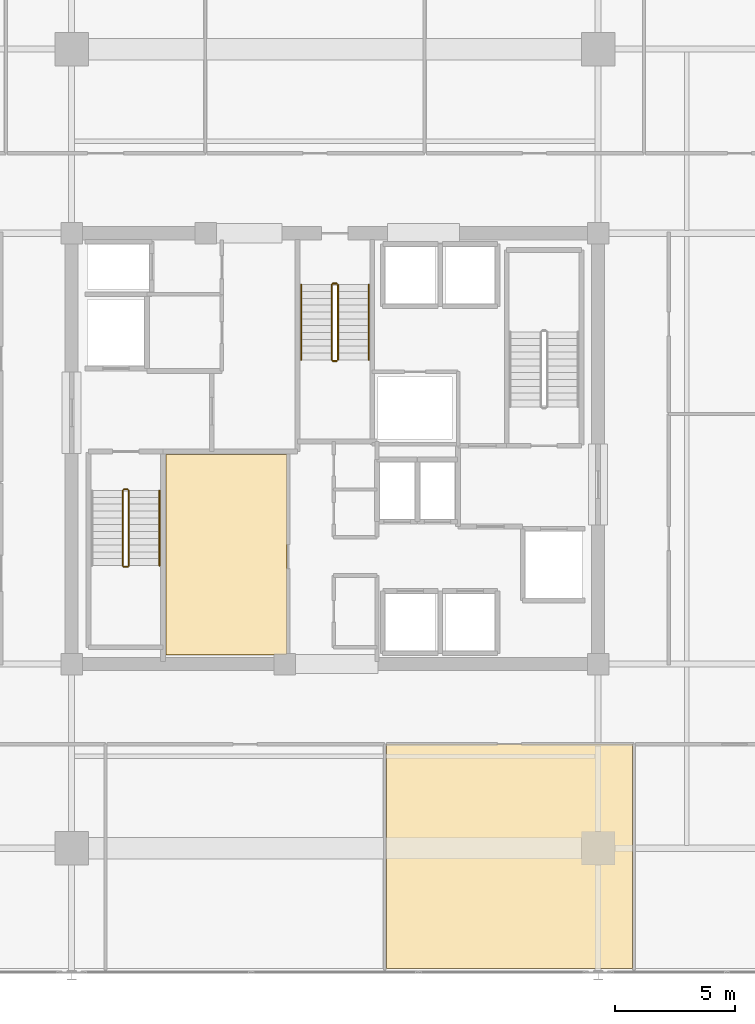
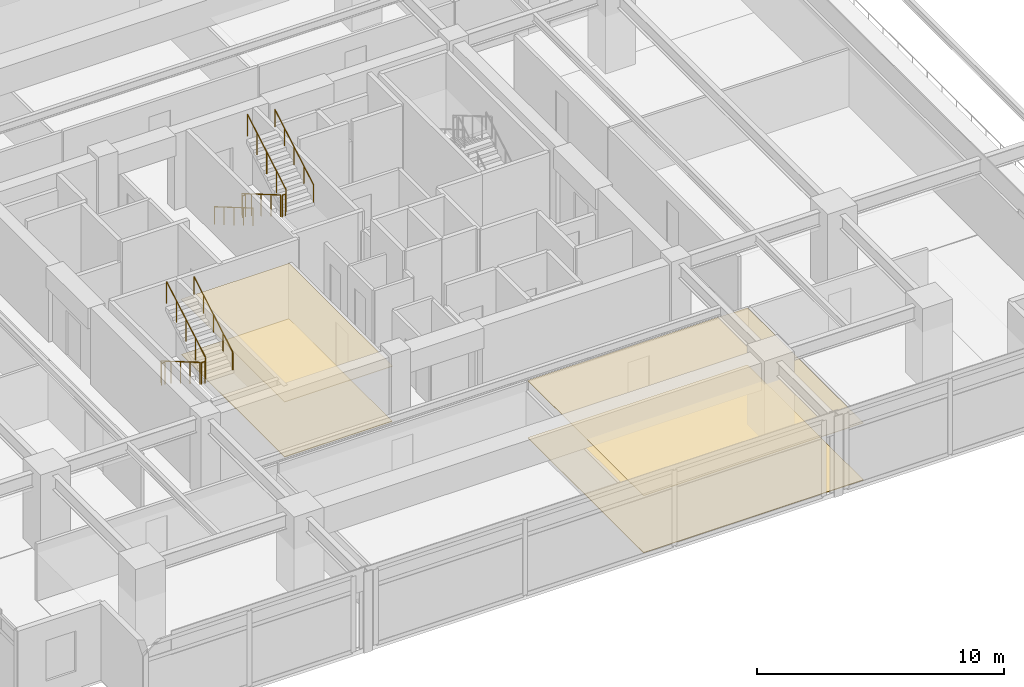
# One storey, part 18 of 20: 11 railings, 4 coverings.
"""IFC4 building model written with IfcOpenShell, lengths in metres."""

from ifc_helpers import new_model, si_unit, direction, frame, origin, origin_2d, place, context, subcontext, project, spatial, polyline, circle, outline, extrude, material, layer, layer_set, type_object, element, save


model = new_model("IFC4")

# Units and contexts
model_context = context("Model", 3, precision=1e-05, world=origin(), true_north=direction((0.0, 1.0)))
body_context = subcontext(model_context, "Body", "Model", "MODEL_VIEW")
ifc_project = project(units=[si_unit("LENGTHUNIT", "METRE"), si_unit("AREAUNIT", "SQUARE_METRE"), si_unit("VOLUMEUNIT", "CUBIC_METRE"), si_unit("PLANEANGLEUNIT", "RADIAN"), si_unit("MASSUNIT", "GRAM", prefix="KILO")], contexts=[model_context])

# Site, building, storey
site_placement = place(None, origin())
site = spatial("IfcSite", under=ifc_project, at=site_placement, CompositionType="ELEMENT")
building_placement = place(site_placement, origin())
building = spatial("IfcBuilding", under=site, at=building_placement, Name="Kovane Verandah Tower", CompositionType="ELEMENT")
storey_placement = place(building_placement, frame((0.0, 0.0, 213.199951171875)))
storey = spatial("IfcBuildingStorey", under=building, at=storey_placement, Name="L49", CompositionType="ELEMENT", Elevation=213.199951171875)

# Coverings
ifc_material_1 = material(Name="Perforated Acoustic Mineral-Fibre Ceiling Tile", Category="gypsum")
ifc_layer_1 = layer(ifc_material_1, 0.02490234375)
ifc_layer_set_1 = layer_set([ifc_layer_1], Name="Perforated Acoustic Mineral-Fibre Ceiling Tile")
covering_type_1 = type_object("IfcCoveringType", Name="CV-CEIL-25", PredefinedType="CEILING", material=ifc_layer_set_1)
covering_1_placement = place(storey_placement, frame((0.0, 0.0, 2.72998046875)))
element("IfcCovering", 1, at=covering_1_placement, inside=storey, type_object=covering_type_1, Name="L49 Tenant Wellness and Archive Suite Acoustic Ceiling", PredefinedType="CEILING", context=body_context, shape_type="SweptSolid", body=[
    extrude(outline(polyline([(32.93505859375, 18.885009765625), (37.9951171875, 18.885009765625), (37.9951171875, 27.264892578125), (32.93505859375, 27.264892578125), (32.93505859375, 18.885009765625)])), origin(), (0.0, 0.0, 1.0), 0.025146484375),
])
covering_2_placement = place(storey_placement, frame((0.0, 0.0, 2.824951171875)))
element("IfcCovering", 2, at=covering_2_placement, inside=storey, type_object=covering_type_1, Name="L49 Open Plan Office S3 Acoustic Ceiling", PredefinedType="CEILING", context=body_context, shape_type="SweptSolid", body=[
    extrude(outline(polyline([(42.1533203125, 5.769287109375), (52.428955078125, 5.769287109375), (52.428955078125, 15.14990234375), (42.1533203125, 15.14990234375), (42.1533203125, 5.769287109375)])), origin(), (0.0, 0.0, 1.0), 0.025146484375),
])
ifc_material_2 = material(Name="Polished Terrazzo and Raised-Access Carpet Tile Finish", Category="concrete")
ifc_layer_2 = layer(ifc_material_2, 0.030029296875)
ifc_layer_set_2 = layer_set([ifc_layer_2], Name="Polished Terrazzo and Raised-Access Carpet Tile Finish")
covering_type_2 = type_object("IfcCoveringType", Name="CV-FLOR-30", PredefinedType="FLOORING", material=ifc_layer_set_2)
covering_3_placement = place(storey_placement, origin())
element("IfcCovering", 3, at=covering_3_placement, inside=storey, type_object=covering_type_2, Name="L49 Tenant Wellness and Archive Suite Floor Finish", PredefinedType="FLOORING", context=body_context, shape_type="SweptSolid", body=[
    extrude(outline(polyline([(32.949951171875, 18.89990234375), (37.97998046875, 18.89990234375), (37.97998046875, 27.25), (32.949951171875, 27.25), (32.949951171875, 18.89990234375)])), origin(), (0.0, 0.0, 1.0), 0.030029296875),
])
covering_4_placement = place(storey_placement, origin())
element("IfcCovering", 4, at=covering_4_placement, inside=storey, type_object=covering_type_2, Name="L49 Open Plan Office S3 Floor Finish", PredefinedType="FLOORING", context=body_context, shape_type="SweptSolid", body=[
    extrude(outline(polyline([(42.1533203125, 5.769287109375), (52.428955078125, 5.769287109375), (52.428955078125, 15.14990234375), (42.1533203125, 15.14990234375), (42.1533203125, 5.769287109375)])), origin(), (0.0, 0.0, 1.0), 0.030029296875),
])

# Railings
ifc_material_3 = material(Name="Brushed Stainless Steel Handrail", Category="steel")
railing_type_1 = type_object("IfcRailingType", Name="RL-HAND-920", PredefinedType="HANDRAIL", material=ifc_material_3)
railing_1_placement = place(storey_placement, frame((32.669921875, 22.614990234375, 2.166748046875)))
element("IfcRailing", 5, at=railing_1_placement, inside=storey, type_object=railing_type_1, Name="L49 ST-01 stair handrail 2", PredefinedType="HANDRAIL", context=body_context, shape_type="SweptSolid", body=[
    extrude(circle(Radius=0.02392578125, at=origin_2d()), frame((0.0, 0.0, 0.8759765625), z_axis=(0.0, 0.863239559939, 0.504794475164), x_axis=(-1.0, 0.0, 0.0)), (0.0, 0.0, 1.0), 3.631591796875),
    extrude(circle(Radius=0.02099609375, at=origin_2d()), origin(), (0.0, 0.0, 1.0), 0.851806640625),
    extrude(circle(Radius=0.02099609375, at=origin_2d()), frame((0.0, 0.78369140625, 0.458251953125)), (0.0, 0.0, 1.0), 0.851806640625),
    extrude(circle(Radius=0.02099609375, at=origin_2d()), frame((0.0, 1.5673828125, 0.91650390625)), (0.0, 0.0, 1.0), 0.851806640625),
    extrude(circle(Radius=0.02099609375, at=origin_2d()), frame((0.0, 2.351318359375, 1.375)), (0.0, 0.0, 1.0), 0.851806640625),
    extrude(circle(Radius=0.02099609375, at=origin_2d()), frame((0.0, 3.135009765625, 1.833251953125)), (0.0, 0.0, 1.0), 0.851806640625),
])
railing_2_placement = place(storey_placement, frame((38.590087890625, 34.35009765625, 0.166748046875)))
element("IfcRailing", 6, at=railing_2_placement, inside=storey, type_object=railing_type_1, Name="L49 ST-03 stair handrail 1", PredefinedType="HANDRAIL", context=body_context, shape_type="SweptSolid", body=[
    extrude(circle(Radius=0.02392578125, at=origin_2d()), frame((0.0, 0.0, 0.8759765625), z_axis=(0.0, -0.863239559939, 0.504794475164), x_axis=(1.0, 0.0, 0.0)), (0.0, 0.0, 1.0), 3.631591796875),
    extrude(circle(Radius=0.02099609375, at=origin_2d()), origin(), (0.0, 0.0, 1.0), 0.851806640625),
    extrude(circle(Radius=0.02099609375, at=origin_2d()), frame((0.0, -0.78369140625, 0.458251953125)), (0.0, 0.0, 1.0), 0.851806640625),
    extrude(circle(Radius=0.02099609375, at=origin_2d()), frame((0.0, -1.5673828125, 0.91650390625)), (0.0, 0.0, 1.0), 0.851806640625),
    extrude(circle(Radius=0.02099609375, at=origin_2d()), frame((0.0, -2.351318359375, 1.375)), (0.0, 0.0, 1.0), 0.851806640625),
    extrude(circle(Radius=0.02099609375, at=origin_2d()), frame((0.0, -3.135009765625, 1.833251953125)), (0.0, 0.0, 1.0), 0.851806640625),
])
railing_3_placement = place(storey_placement, frame((41.409912109375, 31.215087890625, 2.166748046875)))
element("IfcRailing", 7, at=railing_3_placement, inside=storey, type_object=railing_type_1, Name="L49 ST-03 stair handrail 2", PredefinedType="HANDRAIL", context=body_context, shape_type="SweptSolid", body=[
    extrude(circle(Radius=0.02392578125, at=origin_2d()), frame((0.0, 0.0, 0.8759765625), z_axis=(0.0, 0.863239559939, 0.504794475164), x_axis=(-1.0, 0.0, 0.0)), (0.0, 0.0, 1.0), 3.631591796875),
    extrude(circle(Radius=0.02099609375, at=origin_2d()), origin(), (0.0, 0.0, 1.0), 0.851806640625),
    extrude(circle(Radius=0.02099609375, at=origin_2d()), frame((0.0, 0.78369140625, 0.458251953125)), (0.0, 0.0, 1.0), 0.851806640625),
    extrude(circle(Radius=0.02099609375, at=origin_2d()), frame((0.0, 1.5673828125, 0.91650390625)), (0.0, 0.0, 1.0), 0.851806640625),
    extrude(circle(Radius=0.02099609375, at=origin_2d()), frame((0.0, 2.351318359375, 1.375)), (0.0, 0.0, 1.0), 0.851806640625),
    extrude(circle(Radius=0.02099609375, at=origin_2d()), frame((0.0, 3.135009765625, 1.833251953125)), (0.0, 0.0, 1.0), 0.851806640625),
])
ifc_material_4 = material(Name="Painted Steel Stairwell Guardrail", Category="steel")
railing_type_2 = type_object("IfcRailingType", Name="RL-STGUARD-1120", PredefinedType="GUARDRAIL", material=ifc_material_4)
railing_4_placement = place(storey_placement, frame((31.1298828125, 25.75, 0.166748046875)))
element("IfcRailing", 8, at=railing_4_placement, inside=storey, type_object=railing_type_2, Name="L49 ST-01 stair guard 1", PredefinedType="GUARDRAIL", context=body_context, shape_type="SweptSolid", body=[
    extrude(circle(Radius=0.02392578125, at=origin_2d()), frame((0.0, 0.0, 1.076171875), z_axis=(0.0, -0.863239559939, 0.504794475164), x_axis=(1.0, 0.0, 0.0)), (0.0, 0.0, 1.0), 3.631591796875),
    extrude(circle(Radius=0.02099609375, at=origin_2d()), origin(), (0.0, 0.0, 1.0), 1.052001953125),
    extrude(circle(Radius=0.02099609375, at=origin_2d()), frame((0.0, -0.78369140625, 0.458251953125)), (0.0, 0.0, 1.0), 1.052001953125),
    extrude(circle(Radius=0.02099609375, at=origin_2d()), frame((0.0, -1.5673828125, 0.91650390625)), (0.0, 0.0, 1.0), 1.052001953125),
    extrude(circle(Radius=0.02099609375, at=origin_2d()), frame((0.0, -2.351318359375, 1.375)), (0.0, 0.0, 1.0), 1.052001953125),
    extrude(circle(Radius=0.02099609375, at=origin_2d()), frame((0.0, -3.135009765625, 1.833251953125)), (0.0, 0.0, 1.0), 1.052001953125),
])
railing_5_placement = place(storey_placement, frame((31.179931640625, 22.56494140625, 2.0)))
element("IfcRailing", 9, at=railing_5_placement, inside=storey, type_object=railing_type_2, Name="L49 ST-01 stair guard 2", PredefinedType="GUARDRAIL", context=body_context, shape_type="SweptSolid", body=[
    extrude(circle(Radius=0.02392578125, at=origin_2d()), frame((0.0, 0.0, 1.076171875), z_axis=(1.0, 0.0, 0.0), x_axis=(0.0, 1.0, 0.0)), (0.0, 0.0, 1.0), 0.16015625),
    extrude(circle(Radius=0.02099609375, at=origin_2d()), origin(), (0.0, 0.0, 1.0), 1.052001953125),
    extrude(circle(Radius=0.02099609375, at=origin_2d()), frame((0.16015625, 0.0, 0.0)), (0.0, 0.0, 1.0), 1.052001953125),
])
railing_6_placement = place(storey_placement, frame((31.389892578125, 22.614990234375, 2.166748046875)))
element("IfcRailing", 10, at=railing_6_placement, inside=storey, type_object=railing_type_2, Name="L49 ST-01 stair guard 3", PredefinedType="GUARDRAIL", context=body_context, shape_type="SweptSolid", body=[
    extrude(circle(Radius=0.02392578125, at=origin_2d()), frame((0.0, 0.0, 1.076171875), z_axis=(0.0, 0.863239559939, 0.504794475164), x_axis=(-1.0, 0.0, 0.0)), (0.0, 0.0, 1.0), 3.631591796875),
    extrude(circle(Radius=0.02099609375, at=origin_2d()), origin(), (0.0, 0.0, 1.0), 1.052001953125),
    extrude(circle(Radius=0.02099609375, at=origin_2d()), frame((0.0, 0.78369140625, 0.458251953125)), (0.0, 0.0, 1.0), 1.052001953125),
    extrude(circle(Radius=0.02099609375, at=origin_2d()), frame((0.0, 1.5673828125, 0.91650390625)), (0.0, 0.0, 1.0), 1.052001953125),
    extrude(circle(Radius=0.02099609375, at=origin_2d()), frame((0.0, 2.351318359375, 1.375)), (0.0, 0.0, 1.0), 1.052001953125),
    extrude(circle(Radius=0.02099609375, at=origin_2d()), frame((0.0, 3.135009765625, 1.833251953125)), (0.0, 0.0, 1.0), 1.052001953125),
])
railing_7_placement = place(storey_placement, frame((31.179931640625, 25.800048828125, 0.0)))
element("IfcRailing", 11, at=railing_7_placement, inside=storey, type_object=railing_type_2, Name="L49 ST-01 stair guard 4", PredefinedType="GUARDRAIL", context=body_context, shape_type="SweptSolid", body=[
    extrude(circle(Radius=0.02392578125, at=origin_2d()), frame((0.0, 0.0, 1.076171875), z_axis=(1.0, 0.0, 0.0), x_axis=(0.0, 1.0, 0.0)), (0.0, 0.0, 1.0), 0.16015625),
    extrude(circle(Radius=0.02099609375, at=origin_2d()), origin(), (0.0, 0.0, 1.0), 1.052001953125),
    extrude(circle(Radius=0.02099609375, at=origin_2d()), frame((0.16015625, 0.0, 0.0)), (0.0, 0.0, 1.0), 1.052001953125),
])
railing_8_placement = place(storey_placement, frame((39.8701171875, 34.35009765625, 0.166748046875)))
element("IfcRailing", 12, at=railing_8_placement, inside=storey, type_object=railing_type_2, Name="L49 ST-03 stair guard 1", PredefinedType="GUARDRAIL", context=body_context, shape_type="SweptSolid", body=[
    extrude(circle(Radius=0.02392578125, at=origin_2d()), frame((0.0, 0.0, 1.076171875), z_axis=(0.0, -0.863239559939, 0.504794475164), x_axis=(1.0, 0.0, 0.0)), (0.0, 0.0, 1.0), 3.631591796875),
    extrude(circle(Radius=0.02099609375, at=origin_2d()), origin(), (0.0, 0.0, 1.0), 1.052001953125),
    extrude(circle(Radius=0.02099609375, at=origin_2d()), frame((0.0, -0.78369140625, 0.458251953125)), (0.0, 0.0, 1.0), 1.052001953125),
    extrude(circle(Radius=0.02099609375, at=origin_2d()), frame((0.0, -1.5673828125, 0.91650390625)), (0.0, 0.0, 1.0), 1.052001953125),
    extrude(circle(Radius=0.02099609375, at=origin_2d()), frame((0.0, -2.351318359375, 1.375)), (0.0, 0.0, 1.0), 1.052001953125),
    extrude(circle(Radius=0.02099609375, at=origin_2d()), frame((0.0, -3.135009765625, 1.833251953125)), (0.0, 0.0, 1.0), 1.052001953125),
])
railing_9_placement = place(storey_placement, frame((39.919921875, 31.1650390625, 2.0)))
element("IfcRailing", 13, at=railing_9_placement, inside=storey, type_object=railing_type_2, Name="L49 ST-03 stair guard 2", PredefinedType="GUARDRAIL", context=body_context, shape_type="SweptSolid", body=[
    extrude(circle(Radius=0.02392578125, at=origin_2d()), frame((0.0, 0.0, 1.076171875), z_axis=(1.0, 0.0, 0.0), x_axis=(0.0, 1.0, 0.0)), (0.0, 0.0, 1.0), 0.16015625),
    extrude(circle(Radius=0.02099609375, at=origin_2d()), origin(), (0.0, 0.0, 1.0), 1.052001953125),
    extrude(circle(Radius=0.02099609375, at=origin_2d()), frame((0.16015625, 0.0, 0.0)), (0.0, 0.0, 1.0), 1.052001953125),
])
railing_10_placement = place(storey_placement, frame((40.1298828125, 31.215087890625, 2.166748046875)))
element("IfcRailing", 14, at=railing_10_placement, inside=storey, type_object=railing_type_2, Name="L49 ST-03 stair guard 3", PredefinedType="GUARDRAIL", context=body_context, shape_type="SweptSolid", body=[
    extrude(circle(Radius=0.02392578125, at=origin_2d()), frame((0.0, 0.0, 1.076171875), z_axis=(0.0, 0.863239559939, 0.504794475164), x_axis=(-1.0, 0.0, 0.0)), (0.0, 0.0, 1.0), 3.631591796875),
    extrude(circle(Radius=0.02099609375, at=origin_2d()), origin(), (0.0, 0.0, 1.0), 1.052001953125),
    extrude(circle(Radius=0.02099609375, at=origin_2d()), frame((0.0, 0.78369140625, 0.458251953125)), (0.0, 0.0, 1.0), 1.052001953125),
    extrude(circle(Radius=0.02099609375, at=origin_2d()), frame((0.0, 1.5673828125, 0.91650390625)), (0.0, 0.0, 1.0), 1.052001953125),
    extrude(circle(Radius=0.02099609375, at=origin_2d()), frame((0.0, 2.351318359375, 1.375)), (0.0, 0.0, 1.0), 1.052001953125),
    extrude(circle(Radius=0.02099609375, at=origin_2d()), frame((0.0, 3.135009765625, 1.833251953125)), (0.0, 0.0, 1.0), 1.052001953125),
])
railing_11_placement = place(storey_placement, frame((39.919921875, 34.39990234375, 0.0)))
element("IfcRailing", 15, at=railing_11_placement, inside=storey, type_object=railing_type_2, Name="L49 ST-03 stair guard 4", PredefinedType="GUARDRAIL", context=body_context, shape_type="SweptSolid", body=[
    extrude(circle(Radius=0.02392578125, at=origin_2d()), frame((0.0, 0.0, 1.076171875), z_axis=(1.0, 0.0, 0.0), x_axis=(0.0, 1.0, 0.0)), (0.0, 0.0, 1.0), 0.16015625),
    extrude(circle(Radius=0.02099609375, at=origin_2d()), origin(), (0.0, 0.0, 1.0), 1.052001953125),
    extrude(circle(Radius=0.02099609375, at=origin_2d()), frame((0.16015625, 0.0, 0.0)), (0.0, 0.0, 1.0), 1.052001953125),
])

save(model, "model.ifc")
